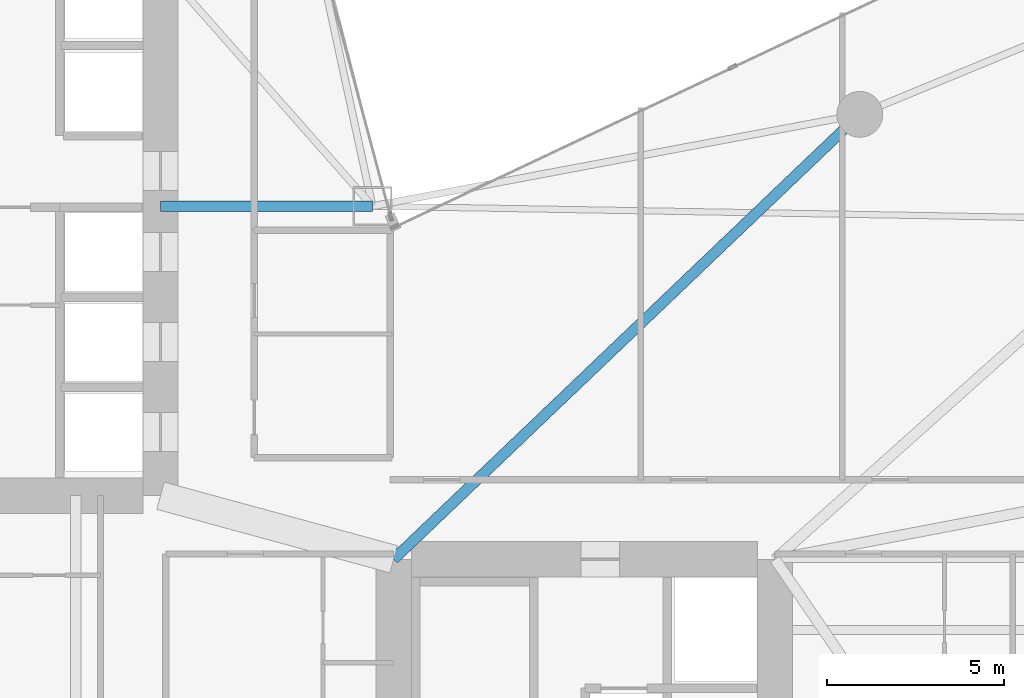
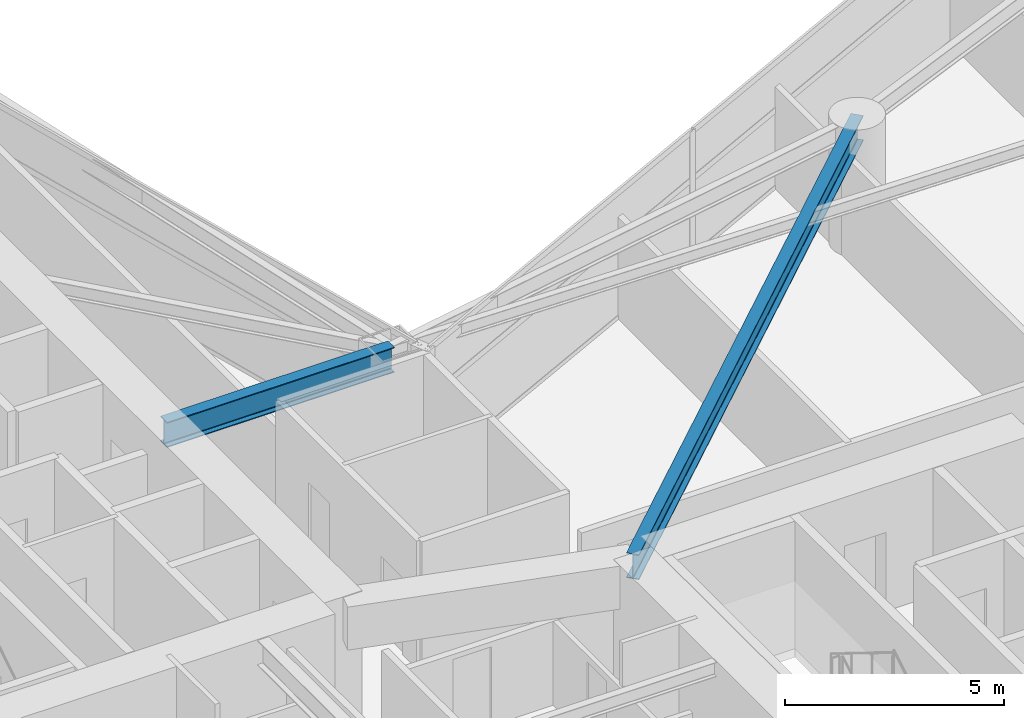
# One storey, part 9 of 30: 2 beams.
"""IFC4 building model written with IfcOpenShell, lengths in metres."""

from ifc_helpers import new_model, si_unit, direction, frame, origin, origin_2d, place, context, subcontext, project, spatial, i_section, extrude, material, material_profile, profile_set, type_object, element, save


model = new_model("IFC4")

# Units and contexts
model_context = context("Model", 3, precision=1e-05, world=origin(), true_north=direction((0.0, 1.0)))
body_context = subcontext(model_context, "Body", "Model", "MODEL_VIEW")
ifc_project = project(units=[si_unit("LENGTHUNIT", "METRE"), si_unit("AREAUNIT", "SQUARE_METRE"), si_unit("VOLUMEUNIT", "CUBIC_METRE"), si_unit("PLANEANGLEUNIT", "RADIAN"), si_unit("MASSUNIT", "GRAM", prefix="KILO")], contexts=[model_context])

# Site, building, storey
site_placement = place(None, origin())
site = spatial("IfcSite", under=ifc_project, at=site_placement, CompositionType="ELEMENT")
building_placement = place(site_placement, origin())
building = spatial("IfcBuilding", under=site, at=building_placement, Name="Calvorn Quay Hotel", CompositionType="ELEMENT")
storey_placement = place(building_placement, frame((0.0, 0.0, 50.800048828125)))
storey = spatial("IfcBuildingStorey", under=building, at=storey_placement, Name="L11", CompositionType="ELEMENT", Elevation=50.800048828125)

# Beams
ifc_material = material(Name="Steel Q390GJC", Category="steel")
ifc_material_profile = material_profile(ifc_material, i_section(OverallWidth=0.300048828125, OverallDepth=0.699951171875, WebThickness=0.012939453125, FlangeThickness=0.02392578125, FilletRadius=0.02392578125, at=origin_2d()), Name="HN700x300x13x24")
ifc_profile_set = profile_set([ifc_material_profile], Name="Steel Q390GJC")
beam_type = type_object("IfcBeamType", Name="BM-GIRD-MAIN", PredefinedType="BEAM", material=ifc_profile_set)
beam_1_placement = place(storey_placement, frame((21.0, 25.0, 3.18994140625), z_axis=(-1.0, 0.0, 0.0), x_axis=(0.0, -1.0, 0.0)))
element("IfcBeam", 1, at=beam_1_placement, inside=storey, type_object=beam_type, Name="Beam BG-L11-W7", PredefinedType="BEAM", context=body_context, shape_type="SweptSolid", body=[
    extrude(i_section(OverallWidth=0.300048828125, OverallDepth=0.699951171875, WebThickness=0.012939453125, FlangeThickness=0.02392578125, FilletRadius=0.02392578125, at=origin_2d()), origin(), (0.0, 0.0, 1.0), 6.0),
])
beam_2_placement = place(storey_placement, frame((21.60009765625, 15.0, 3.18994140625), z_axis=(0.723351595578, 0.690479883252, 0.0), x_axis=(-0.690479883252, 0.723351595578, 0.0)))
element("IfcBeam", 2, at=beam_2_placement, inside=storey, type_object=beam_type, Name="Beam BG-L11-E4", PredefinedType="BEAM", context=body_context, shape_type="SweptSolid", body=[
    extrude(i_section(OverallWidth=0.300048828125, OverallDepth=0.699951171875, WebThickness=0.012939453125, FlangeThickness=0.02392578125, FilletRadius=0.02392578125, at=origin_2d()), origin(), (0.0, 0.0, 1.0), 18.248291015625),
])

save(model, "model.ifc")
